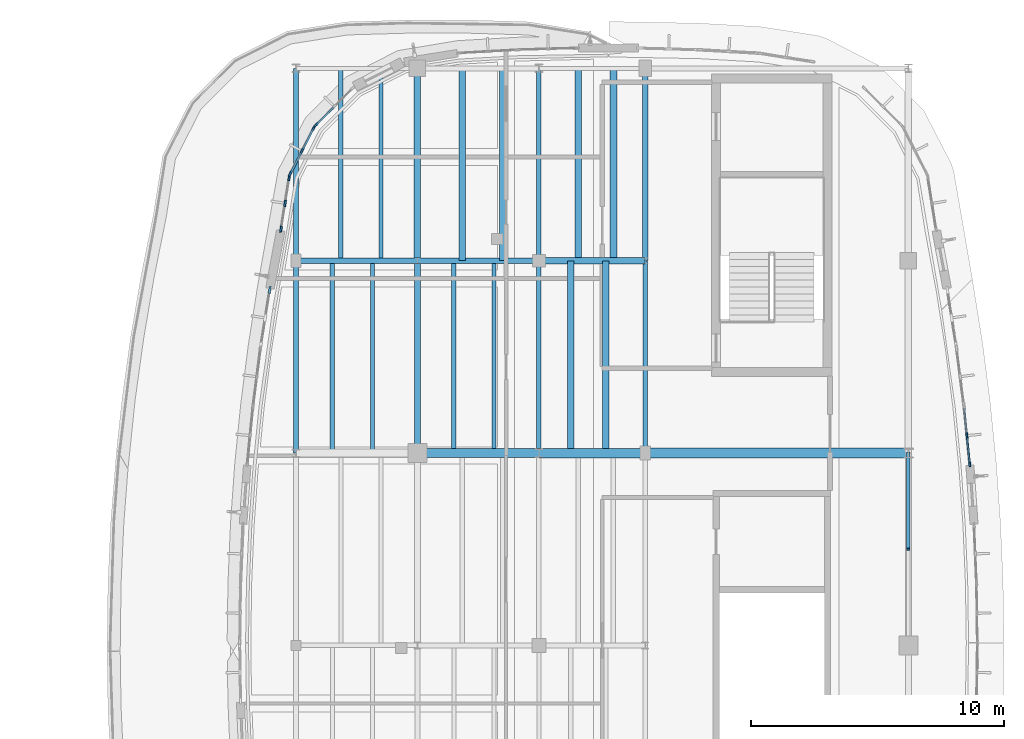
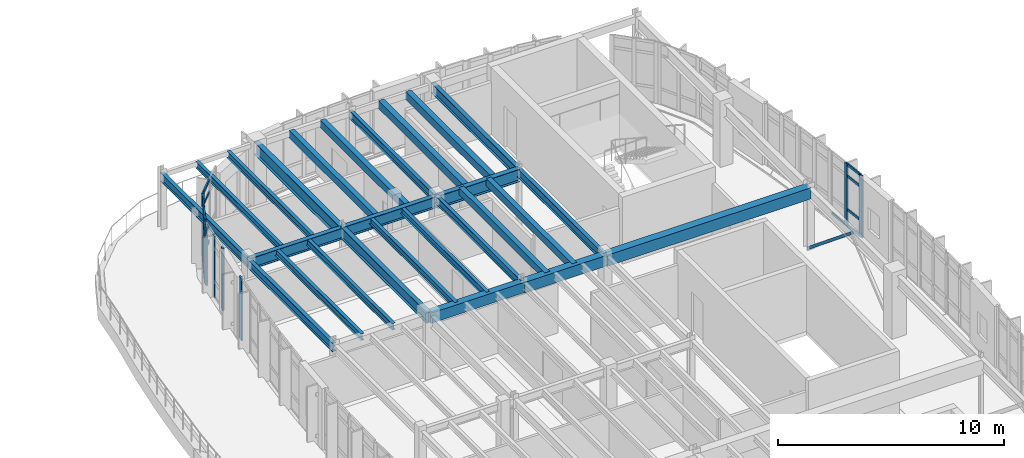
# One storey, part 12 of 30: 28 members, 26 beams, 5 elements without a shape of their own.
"""IFC4 building model written with IfcOpenShell, lengths in metres."""

from ifc_helpers import new_model, si_unit, direction, frame, origin, origin_2d, place, context, subcontext, project, spatial, rectangle, hollow_rectangle, i_section, extrude, material, material_profile, profile_set, type_object, element, aggregate, save


model = new_model("IFC4")

# Units and contexts
model_context = context("Model", 3, precision=1e-05, world=origin(), true_north=direction((0.0, 1.0)))
body_context = subcontext(model_context, "Body", "Model", "MODEL_VIEW")
ifc_project = project(units=[si_unit("LENGTHUNIT", "METRE"), si_unit("AREAUNIT", "SQUARE_METRE"), si_unit("VOLUMEUNIT", "CUBIC_METRE"), si_unit("PLANEANGLEUNIT", "RADIAN"), si_unit("MASSUNIT", "GRAM", prefix="KILO")], contexts=[model_context])

# Site, building, storey
site_placement = place(None, origin())
site = spatial("IfcSite", under=ifc_project, at=site_placement, CompositionType="ELEMENT")
building_placement = place(site_placement, origin())
building = spatial("IfcBuilding", under=site, at=building_placement, Name="Corveleigh Park Community Centre", CompositionType="ELEMENT")
storey_placement = place(building_placement, frame((0.0, 0.0, 12.60009765625)))
storey = spatial("IfcBuildingStorey", under=building, at=storey_placement, Name="L03", CompositionType="ELEMENT", Elevation=12.60009765625)

# Beams
ifc_material_1 = material(Name="Concrete C40/50", Category="concrete")
ifc_material_profile_1 = material_profile(ifc_material_1, rectangle(XDim=0.25, YDim=0.39990234375, at=origin_2d()), Name="RC-250x400", Category="concrete")
ifc_profile_set_1 = profile_set([ifc_material_profile_1], Name="Concrete C40/50")
beam_type_1 = type_object("IfcBeamType", Name="BM-RC-250x400", PredefinedType="JOIST", material=ifc_profile_set_1)
for number, where, z_axis, x_axis, name in (
    (1, (150.77587890625, 96.60498046875, 3.136962890625), (0.0, 1.0, 0.0), (-1.0, 0.0, 0.0), "Secondary floor joist"),
    (2, (152.360107421875, 96.60498046875, 3.136962890625), (0.0, 1.0, 0.0), (-1.0, 0.0, 0.0), "Secondary floor joist"),
    (3, (155.06005859375, 89.0048828125, 3.156982421875), (0.0, 1.0, 0.0), (-1.0, 0.0, 0.0), "Secondary floor joist"),
    (4, (156.446044921875, 89.0048828125, 3.156982421875), (0.0, 1.0, 0.0), (-1.0, 0.0, 0.0), "Secondary floor joist"),
):
    element("IfcBeam", number, at=place(storey_placement, frame(where, z_axis=z_axis, x_axis=x_axis)), inside=storey, type_object=beam_type_1, Name=name, PredefinedType="JOIST", context=body_context, shape_type="SweptSolid", body=[
        extrude(rectangle(XDim=0.25, YDim=0.39990234375, at=origin_2d()), origin(), (0.0, 0.0, 1.0), 7.590087890625),
    ])
ifc_material_profile_2 = material_profile(ifc_material_1, rectangle(XDim=0.27490234375, YDim=0.425048828125, at=origin_2d()), Name="RC-275x425", Category="concrete")
ifc_profile_set_2 = profile_set([ifc_material_profile_2], Name="Concrete C40/50")
beam_type_2 = type_object("IfcBeamType", Name="BM-RC-275x425", PredefinedType="JOIST", material=ifc_profile_set_2)
for number, where, z_axis, x_axis, name in (
    (5, (155.35400390625, 96.60498046875, 3.12451171875), (0.0, 1.0, 0.0), (-1.0, 0.0, 0.0), "Secondary floor joist"),
    (6, (156.739990234375, 96.60498046875, 3.12451171875), (0.0, 1.0, 0.0), (-1.0, 0.0, 0.0), "Secondary floor joist"),
):
    element("IfcBeam", number, at=place(storey_placement, frame(where, z_axis=z_axis, x_axis=x_axis)), inside=storey, type_object=beam_type_2, Name=name, PredefinedType="JOIST", context=body_context, shape_type="SweptSolid", body=[
        extrude(rectangle(XDim=0.27490234375, YDim=0.425048828125, at=origin_2d()), origin(), (0.0, 0.0, 1.0), 7.590087890625),
    ])
ifc_material_profile_3 = material_profile(ifc_material_1, rectangle(XDim=0.35009765625, YDim=0.550048828125, at=origin_2d()), Name="RC-350x550", Category="concrete")
ifc_profile_set_3 = profile_set([ifc_material_profile_3], Name="Concrete C40/50")
beam_type_3 = type_object("IfcBeamType", Name="BM-RC-350x550", PredefinedType="BEAM", material=ifc_profile_set_3)
beam_1_placement = place(storey_placement, frame((149.0048828125, 89.0, 3.081787109375), z_axis=(1.0, 0.0, 0.0), x_axis=(0.0, 1.0, 0.0)))
element("IfcBeam", 7, at=beam_1_placement, inside=storey, type_object=beam_type_3, Name="V4 Girder X", PredefinedType="BEAM", context=body_context, shape_type="SweptSolid", body=[
    extrude(rectangle(XDim=0.35009765625, YDim=0.550048828125, at=origin_2d()), origin(), (0.0, 0.0, 1.0), 4.7900390625),
])
ifc_material_profile_4 = material_profile(ifc_material_1, rectangle(XDim=0.375, YDim=0.574951171875, at=origin_2d()), Name="RC-375x575", Category="concrete")
ifc_profile_set_4 = profile_set([ifc_material_profile_4], Name="Concrete C40/50")
beam_type_4 = type_object("IfcBeamType", Name="BM-RC-375x575", PredefinedType="BEAM", material=ifc_profile_set_4)
beam_2_placement = place(storey_placement, frame((153.804931640625, 89.0, 3.0693359375), z_axis=(1.0, 0.0, 0.0), x_axis=(0.0, 1.0, 0.0)))
element("IfcBeam", 8, at=beam_2_placement, inside=storey, type_object=beam_type_4, Name="V4 Girder X", PredefinedType="BEAM", context=body_context, shape_type="SweptSolid", body=[
    extrude(rectangle(XDim=0.375, YDim=0.574951171875, at=origin_2d()), origin(), (0.0, 0.0, 1.0), 4.190185546875),
])
ifc_material_profile_5 = material_profile(ifc_material_1, rectangle(XDim=0.39990234375, YDim=0.60009765625, at=origin_2d()), Name="RC-400x600", Category="concrete")
ifc_profile_set_5 = profile_set([ifc_material_profile_5], Name="Concrete C40/50")
beam_type_5 = type_object("IfcBeamType", Name="BM-RC-400x600", PredefinedType="BEAM", material=ifc_profile_set_5)
beam_3_placement = place(storey_placement, frame((158.0048828125, 89.0, 3.056884765625), z_axis=(1.0, 0.0, 0.0), x_axis=(0.0, 1.0, 0.0)))
element("IfcBeam", 9, at=beam_3_placement, inside=storey, type_object=beam_type_5, Name="V4 Girder X", PredefinedType="BEAM", context=body_context, shape_type="SweptSolid", body=[
    extrude(rectangle(XDim=0.39990234375, YDim=0.60009765625, at=origin_2d()), origin(), (0.0, 0.0, 1.0), 10.39013671875),
])
ifc_material_2 = material(Name="Steel S355", Category="steel")
ifc_material_profile_6 = material_profile(ifc_material_2, i_section(OverallWidth=0.171142578125, OverallDepth=0.351318359375, WebThickness=0.007080078125, FlangeThickness=0.009765625, at=origin_2d()), Name="UKB 356x171x45", Category="steel")
ifc_profile_set_6 = profile_set([ifc_material_profile_6], Name="Steel S355")
beam_type_6 = type_object("IfcBeamType", Name="BM-STL-UKB356x45", PredefinedType="JOIST", material=ifc_profile_set_6)
for number, where, z_axis, x_axis, name in (
    (10, (145.639892578125, 89.0048828125, 3.1611328125), (0.0, 1.0, 0.0), (-1.0, 0.0, 0.0), "Secondary floor joist"),
    (11, (147.22412109375, 89.0048828125, 3.1611328125), (0.0, 1.0, 0.0), (-1.0, 0.0, 0.0), "Secondary floor joist"),
):
    element("IfcBeam", number, at=place(storey_placement, frame(where, z_axis=z_axis, x_axis=x_axis)), inside=storey, type_object=beam_type_6, Name=name, PredefinedType="JOIST", context=body_context, shape_type="SweptSolid", body=[
        extrude(i_section(OverallWidth=0.171142578125, OverallDepth=0.351318359375, WebThickness=0.007080078125, FlangeThickness=0.009765625, at=origin_2d()), origin(), (0.0, 0.0, 1.0), 7.590087890625),
    ])
ifc_material_profile_7 = material_profile(ifc_material_2, i_section(OverallWidth=0.17138671875, OverallDepth=0.35498046875, WebThickness=0.00732421875, FlangeThickness=0.011474609375, at=origin_2d()), Name="UKB 356x171x51", Category="steel")
ifc_profile_set_7 = profile_set([ifc_material_profile_7], Name="Steel S355")
beam_type_7 = type_object("IfcBeamType", Name="BM-STL-UKB356x51", PredefinedType="JOIST", material=ifc_profile_set_7)
for number, where, z_axis, x_axis, name in (
    (12, (145.97607421875, 96.60498046875, 3.159423828125), (0.0, 1.0, 0.0), (-1.0, 0.0, 0.0), "Secondary floor joist"),
    (13, (147.56005859375, 96.60498046875, 3.159423828125), (0.0, 1.0, 0.0), (-1.0, 0.0, 0.0), "Secondary floor joist"),
    (14, (150.43994140625, 89.0048828125, 3.179443359375), (0.0, 1.0, 0.0), (-1.0, 0.0, 0.0), "Secondary floor joist"),
    (15, (152.02392578125, 89.0048828125, 3.179443359375), (0.0, 1.0, 0.0), (-1.0, 0.0, 0.0), "Secondary floor joist"),
):
    element("IfcBeam", number, at=place(storey_placement, frame(where, z_axis=z_axis, x_axis=x_axis)), inside=storey, type_object=beam_type_7, Name=name, PredefinedType="JOIST", context=body_context, shape_type="SweptSolid", body=[
        extrude(i_section(OverallWidth=0.17138671875, OverallDepth=0.35498046875, WebThickness=0.00732421875, FlangeThickness=0.011474609375, at=origin_2d()), origin(), (0.0, 0.0, 1.0), 7.590087890625),
    ])
ifc_material_profile_8 = material_profile(ifc_material_2, i_section(OverallWidth=0.177978515625, OverallDepth=0.406494140625, WebThickness=0.0078125, FlangeThickness=0.0126953125, at=origin_2d()), Name="UKB 406x178x60", Category="steel")
ifc_profile_set_8 = profile_set([ifc_material_profile_8], Name="Steel S355")
beam_type_8 = type_object("IfcBeamType", Name="BM-STL-UKB406x60", PredefinedType="BEAM", material=ifc_profile_set_8)
beam_4_placement = place(storey_placement, frame((153.800048828125, 89.0048828125, 3.15380859375), z_axis=(0.0, 1.0, 0.0), x_axis=(-1.0, 0.0, 0.0)))
element("IfcBeam", 16, at=beam_4_placement, inside=storey, type_object=beam_type_8, Name="V4 Girder Y", PredefinedType="BEAM", context=body_context, shape_type="SweptSolid", body=[
    extrude(i_section(OverallWidth=0.177978515625, OverallDepth=0.406494140625, WebThickness=0.0078125, FlangeThickness=0.0126953125, at=origin_2d()), origin(), (0.0, 0.0, 1.0), 7.590087890625),
])
ifc_material_profile_9 = material_profile(ifc_material_2, i_section(OverallWidth=0.1787109375, OverallDepth=0.409423828125, WebThickness=0.0087890625, FlangeThickness=0.014404296875, at=origin_2d()), Name="UKB 406x178x67", Category="steel")
ifc_profile_set_9 = profile_set([ifc_material_profile_9], Name="Steel S355")
beam_type_9 = type_object("IfcBeamType", Name="BM-STL-UKB406x67", PredefinedType="BEAM", material=ifc_profile_set_9)
beam_5_placement = place(storey_placement, frame((153.800048828125, 96.60498046875, 3.13232421875), z_axis=(0.0, 1.0, 0.0), x_axis=(-1.0, 0.0, 0.0)))
element("IfcBeam", 17, at=beam_5_placement, inside=storey, type_object=beam_type_9, Name="V4 Girder Y", PredefinedType="BEAM", context=body_context, shape_type="SweptSolid", body=[
    extrude(i_section(OverallWidth=0.1787109375, OverallDepth=0.409423828125, WebThickness=0.0087890625, FlangeThickness=0.014404296875, at=origin_2d()), origin(), (0.0, 0.0, 1.0), 7.590087890625),
])
ifc_material_profile_10 = material_profile(ifc_material_2, i_section(OverallWidth=0.19140625, OverallDepth=0.4599609375, WebThickness=0.010009765625, FlangeThickness=0.01611328125, at=origin_2d()), Name="UKB 457x191x82", Category="steel")
ifc_profile_set_10 = profile_set([ifc_material_profile_10], Name="Steel S355")
beam_type_10 = type_object("IfcBeamType", Name="BM-STL-UKB457x82", PredefinedType="BEAM", material=ifc_profile_set_10)
beam_6_placement = place(storey_placement, frame((144.199951171875, 89.0048828125, 3.10693359375), z_axis=(0.0, 1.0, 0.0), x_axis=(-1.0, 0.0, 0.0)))
element("IfcBeam", 18, at=beam_6_placement, inside=storey, type_object=beam_type_10, Name="V4 Girder Y", PredefinedType="BEAM", context=body_context, shape_type="SweptSolid", body=[
    extrude(i_section(OverallWidth=0.19140625, OverallDepth=0.4599609375, WebThickness=0.010009765625, FlangeThickness=0.01611328125, at=origin_2d()), origin(), (0.0, 0.0, 1.0), 7.590087890625),
])
ifc_material_profile_11 = material_profile(ifc_material_2, i_section(OverallWidth=0.19189453125, OverallDepth=0.46337890625, WebThickness=0.010498046875, FlangeThickness=0.017578125, at=origin_2d()), Name="UKB 457x191x89", Category="steel")
ifc_profile_set_11 = profile_set([ifc_material_profile_11], Name="Steel S355")
beam_type_11 = type_object("IfcBeamType", Name="BM-STL-UKB457x89", PredefinedType="BEAM", material=ifc_profile_set_11)
for number, where, z_axis, x_axis, name in (
    (19, (144.199951171875, 96.60498046875, 3.105224609375), (0.0, 1.0, 0.0), (-1.0, 0.0, 0.0), "V4 Girder Y"),
    (20, (158.0, 89.0048828125, 3.125244140625), (0.0, 1.0, 0.0), (-1.0, 0.0, 0.0), "V4 Girder Y"),
):
    element("IfcBeam", number, at=place(storey_placement, frame(where, z_axis=z_axis, x_axis=x_axis)), inside=storey, type_object=beam_type_11, Name=name, PredefinedType="BEAM", context=body_context, shape_type="SweptSolid", body=[
        extrude(i_section(OverallWidth=0.19189453125, OverallDepth=0.46337890625, WebThickness=0.010498046875, FlangeThickness=0.017578125, at=origin_2d()), origin(), (0.0, 0.0, 1.0), 7.590087890625),
    ])
ifc_material_profile_12 = material_profile(ifc_material_2, i_section(OverallWidth=0.209228515625, OverallDepth=0.533203125, WebThickness=0.010009765625, FlangeThickness=0.015625, at=origin_2d()), Name="UKB 533x210x92", Category="steel")
ifc_profile_set_12 = profile_set([ifc_material_profile_12], Name="Steel S355")
beam_type_12 = type_object("IfcBeamType", Name="BM-STL-UKB533x92", PredefinedType="BEAM", material=ifc_profile_set_12)
beam_7_placement = place(storey_placement, frame((158.0, 96.60498046875, 3.09033203125), z_axis=(0.0, 1.0, 0.0), x_axis=(-1.0, 0.0, 0.0)))
element("IfcBeam", 21, at=beam_7_placement, inside=storey, type_object=beam_type_12, Name="V4 Girder Y", PredefinedType="BEAM", context=body_context, shape_type="SweptSolid", body=[
    extrude(i_section(OverallWidth=0.209228515625, OverallDepth=0.533203125, WebThickness=0.010009765625, FlangeThickness=0.015625, at=origin_2d()), origin(), (0.0, 0.0, 1.0), 7.590087890625),
])
ifc_material_profile_13 = material_profile(ifc_material_2, i_section(OverallWidth=0.228271484375, OverallDepth=0.607666015625, WebThickness=0.010986328125, FlangeThickness=0.017333984375, at=origin_2d()), Name="UKB 610x229x113", Category="steel")
ifc_profile_set_13 = profile_set([ifc_material_profile_13], Name="Steel S355")
beam_type_13 = type_object("IfcBeamType", Name="BM-STL-UKB610x113", PredefinedType="BEAM", material=ifc_profile_set_13)
beam_8_placement = place(storey_placement, frame((144.205078125, 96.60009765625, 3.033203125), z_axis=(1.0, 0.0, 0.0), x_axis=(0.0, 1.0, 0.0)))
element("IfcBeam", 22, at=beam_8_placement, inside=storey, type_object=beam_type_13, Name="V4 Girder X", PredefinedType="BEAM", context=body_context, shape_type="SweptSolid", body=[
    extrude(i_section(OverallWidth=0.228271484375, OverallDepth=0.607666015625, WebThickness=0.010986328125, FlangeThickness=0.017333984375, at=origin_2d()), origin(), (0.0, 0.0, 1.0), 4.7900390625),
])
ifc_material_profile_14 = material_profile(ifc_material_2, i_section(OverallWidth=0.22900390625, OverallDepth=0.6123046875, WebThickness=0.011962890625, FlangeThickness=0.01953125, at=origin_2d()), Name="UKB 610x229x125", Category="steel")
ifc_profile_set_14 = profile_set([ifc_material_profile_14], Name="Steel S355")
beam_type_14 = type_object("IfcBeamType", Name="BM-STL-UKB610x125", PredefinedType="BEAM", material=ifc_profile_set_14)
beam_9_placement = place(storey_placement, frame((149.0048828125, 96.60009765625, 3.05078125), z_axis=(1.0, 0.0, 0.0), x_axis=(0.0, 1.0, 0.0)))
element("IfcBeam", 23, at=beam_9_placement, inside=storey, type_object=beam_type_14, Name="V4 Girder X", PredefinedType="BEAM", context=body_context, shape_type="SweptSolid", body=[
    extrude(i_section(OverallWidth=0.22900390625, OverallDepth=0.6123046875, WebThickness=0.011962890625, FlangeThickness=0.01953125, at=origin_2d()), origin(), (0.0, 0.0, 1.0), 4.7900390625),
])
beam_10_placement = place(storey_placement, frame((149.0, 89.0048828125, 3.05078125), z_axis=(0.0, 1.0, 0.0), x_axis=(-1.0, 0.0, 0.0)))
element("IfcBeam", 24, at=beam_10_placement, inside=storey, type_object=beam_type_14, Name="V4 Girder Y", PredefinedType="BEAM", context=body_context, shape_type="SweptSolid", body=[
    extrude(i_section(OverallWidth=0.22900390625, OverallDepth=0.6123046875, WebThickness=0.011962890625, FlangeThickness=0.01953125, at=origin_2d()), origin(), (0.0, 0.0, 1.0), 7.590087890625),
])
ifc_material_profile_15 = material_profile(ifc_material_2, i_section(OverallWidth=0.253662109375, OverallDepth=0.68359375, WebThickness=0.012451171875, FlangeThickness=0.01904296875, at=origin_2d()), Name="UKB 686x254x140", Category="steel")
ifc_profile_set_15 = profile_set([ifc_material_profile_15], Name="Steel S355")
beam_type_15 = type_object("IfcBeamType", Name="BM-STL-UKB686x140", PredefinedType="BEAM", material=ifc_profile_set_15)
beam_11_placement = place(storey_placement, frame((153.804931640625, 96.60009765625, 3.01513671875), z_axis=(1.0, 0.0, 0.0), x_axis=(0.0, 1.0, 0.0)))
element("IfcBeam", 25, at=beam_11_placement, inside=storey, type_object=beam_type_15, Name="V4 Girder X", PredefinedType="BEAM", context=body_context, shape_type="SweptSolid", body=[
    extrude(i_section(OverallWidth=0.253662109375, OverallDepth=0.68359375, WebThickness=0.012451171875, FlangeThickness=0.01904296875, at=origin_2d()), origin(), (0.0, 0.0, 1.0), 4.190185546875),
])
beam_12_placement = place(storey_placement, frame((149.0, 96.60498046875, 2.9951171875), z_axis=(0.0, 1.0, 0.0), x_axis=(-1.0, 0.0, 0.0)))
element("IfcBeam", 26, at=beam_12_placement, inside=storey, type_object=beam_type_15, Name="V4 Girder Y", PredefinedType="BEAM", context=body_context, shape_type="SweptSolid", body=[
    extrude(i_section(OverallWidth=0.253662109375, OverallDepth=0.68359375, WebThickness=0.012451171875, FlangeThickness=0.01904296875, at=origin_2d()), origin(), (0.0, 0.0, 1.0), 7.590087890625),
])

# Curtain wall, member
ifc_material_3 = material(Name="Anodised aluminium 6063-T6", Category="aluminium")
curtain_wall_type = type_object("IfcCurtainWallType", Name="CW-SYS-V4-L03", PredefinedType="NOTDEFINED", material=ifc_material_3)
curtain_wall_1_placement = place(storey_placement, origin())
curtain_wall_1 = element("IfcCurtainWall", 27, at=curtain_wall_1_placement, inside=storey, type_object=curtain_wall_type, Name="V4 L03 Curtain Wall 423", PredefinedType="NOTDEFINED")
ifc_material_profile_16 = material_profile(ifc_material_3, rectangle(XDim=0.070068359375, YDim=0.199951171875, at=origin_2d()), Name="ALU-M70x200", Category="aluminium")
ifc_profile_set_16 = profile_set([ifc_material_profile_16], Name="Anodised aluminium 6063-T6")
member_type_1 = type_object("IfcMemberType", Name="CWM-70x200", PredefinedType="MULLION", material=ifc_profile_set_16)
member_1_placement = place(storey_placement, frame((144.98876953125, 101.9658203125, 0.0), z_axis=(0.0, 0.0, 1.0), x_axis=(-0.707106781187, 0.707106781187, 0.0)))
member_1 = element("IfcMember", 28, at=member_1_placement, type_object=member_type_1, Name="CW09 mullion 1", PredefinedType="MULLION", context=body_context, shape_type="SweptSolid", body=[
    extrude(rectangle(XDim=0.070068359375, YDim=0.199951171875, at=origin_2d()), origin(), (0.0, 0.0, 1.0), 3.3369140625),
])

# Curtain wall, members
curtain_wall_2_placement = place(storey_placement, origin())
curtain_wall_2 = element("IfcCurtainWall", 29, at=curtain_wall_2_placement, inside=storey, type_object=curtain_wall_type, Name="V4 L03 Curtain Wall 412", PredefinedType="NOTDEFINED")
ifc_material_profile_17 = material_profile(ifc_material_3, rectangle(XDim=0.074951171875, YDim=0.219970703125, at=origin_2d()), Name="ALU-M75x220", Category="aluminium")
ifc_profile_set_17 = profile_set([ifc_material_profile_17], Name="Anodised aluminium 6063-T6")
member_type_2 = type_object("IfcMemberType", Name="CWM-75x220", PredefinedType="MULLION", material=ifc_profile_set_17)
member_2_placement = place(storey_placement, frame((170.70947265625, 89.689453125, 0.0), z_axis=(0.0, 0.0, 1.0), x_axis=(0.995058446213, 0.09929092919, 0.0)))
member_2 = element("IfcMember", 30, at=member_2_placement, type_object=member_type_2, Name="CW09 mullion 2", PredefinedType="MULLION", context=body_context, shape_type="SweptSolid", body=[
    extrude(rectangle(XDim=0.074951171875, YDim=0.219970703125, at=origin_2d()), origin(), (0.0, 0.0, 1.0), 3.35693359375),
])
member_3_placement = place(storey_placement, frame((170.8212890625, 88.5693359375, 0.0), z_axis=(0.0, 0.0, 1.0), x_axis=(0.995058446213, 0.09929092919, 0.0)))
member_3 = element("IfcMember", 31, at=member_3_placement, type_object=member_type_2, Name="CW09 mullion 3", PredefinedType="MULLION", context=body_context, shape_type="SweptSolid", body=[
    extrude(rectangle(XDim=0.074951171875, YDim=0.219970703125, at=origin_2d()), origin(), (0.0, 0.0, 1.0), 3.35693359375),
])

curtain_wall_3_placement = place(storey_placement, origin())
curtain_wall_3 = element("IfcCurtainWall", 32, at=curtain_wall_3_placement, inside=storey, type_object=curtain_wall_type, Name="V4 L03 Curtain Wall 424", PredefinedType="NOTDEFINED")
member_4_placement = place(storey_placement, frame((143.97705078125, 100.030517578125, 0.0), z_axis=(0.0, 0.0, 1.0), x_axis=(-0.890898639119, 0.454202173945, 0.0)))
member_4 = element("IfcMember", 33, at=member_4_placement, type_object=member_type_2, Name="CW09 mullion 1", PredefinedType="MULLION", context=body_context, shape_type="SweptSolid", body=[
    extrude(rectangle(XDim=0.074951171875, YDim=0.219970703125, at=origin_2d()), origin(), (0.0, 0.0, 1.0), 3.3369140625),
])
member_5_placement = place(storey_placement, frame((144.43994140625, 100.9384765625, 0.0), z_axis=(0.0, 0.0, 1.0), x_axis=(-0.890898639119, 0.454202173945, 0.0)))
member_5 = element("IfcMember", 34, at=member_5_placement, type_object=member_type_2, Name="CW09 mullion 2", PredefinedType="MULLION", context=body_context, shape_type="SweptSolid", body=[
    extrude(rectangle(XDim=0.074951171875, YDim=0.219970703125, at=origin_2d()), origin(), (0.0, 0.0, 1.0), 3.3369140625),
])
member_6_placement = place(storey_placement, frame((144.903076171875, 101.8466796875, 0.0), z_axis=(0.0, 0.0, 1.0), x_axis=(-0.890898639119, 0.454202173945, 0.0)))
member_6 = element("IfcMember", 35, at=member_6_placement, type_object=member_type_2, Name="CW09 mullion 3", PredefinedType="MULLION", context=body_context, shape_type="SweptSolid", body=[
    extrude(rectangle(XDim=0.074951171875, YDim=0.219970703125, at=origin_2d()), origin(), (0.0, 0.0, 1.0), 3.3369140625),
])

curtain_wall_4_placement = place(storey_placement, origin())
curtain_wall_4 = element("IfcCurtainWall", 36, at=curtain_wall_4_placement, inside=storey, type_object=curtain_wall_type, Name="V4 L03 Curtain Wall 425", PredefinedType="NOTDEFINED")
ifc_material_profile_18 = material_profile(ifc_material_3, rectangle(XDim=0.080078125, YDim=0.25, at=origin_2d()), Name="ALU-M80x250", Category="aluminium")
ifc_profile_set_18 = profile_set([ifc_material_profile_18], Name="Anodised aluminium 6063-T6")
member_type_3 = type_object("IfcMemberType", Name="CWM-80x250", PredefinedType="MULLION", material=ifc_profile_set_18)
member_7_placement = place(storey_placement, frame((143.607177734375, 97.848388671875, 0.0), z_axis=(0.0, 0.0, 1.0), x_axis=(-0.987626350225, 0.15682535618, 0.0)))
member_7 = element("IfcMember", 37, at=member_7_placement, type_object=member_type_3, Name="CW09 mullion 1", PredefinedType="MULLION", context=body_context, shape_type="SweptSolid", body=[
    extrude(rectangle(XDim=0.080078125, YDim=0.25, at=origin_2d()), origin(), (0.0, 0.0, 1.0), 3.3369140625),
])
member_8_placement = place(storey_placement, frame((143.76904296875, 98.866943359375, 0.0), z_axis=(0.0, 0.0, 1.0), x_axis=(-0.987626350225, 0.15682535618, 0.0)))
member_8 = element("IfcMember", 38, at=member_8_placement, type_object=member_type_3, Name="CW09 mullion 2", PredefinedType="MULLION", context=body_context, shape_type="SweptSolid", body=[
    extrude(rectangle(XDim=0.080078125, YDim=0.25, at=origin_2d()), origin(), (0.0, 0.0, 1.0), 3.3369140625),
])
member_9_placement = place(storey_placement, frame((143.9306640625, 99.885498046875, 0.0), z_axis=(0.0, 0.0, 1.0), x_axis=(-0.987626350225, 0.15682535618, 0.0)))
member_9 = element("IfcMember", 39, at=member_9_placement, type_object=member_type_3, Name="CW09 mullion 3", PredefinedType="MULLION", context=body_context, shape_type="SweptSolid", body=[
    extrude(rectangle(XDim=0.080078125, YDim=0.25, at=origin_2d()), origin(), (0.0, 0.0, 1.0), 3.3369140625),
])
aggregate(curtain_wall_4, [member_7, member_8, member_9])

# Curtain wall, member
curtain_wall_5_placement = place(storey_placement, origin())
curtain_wall_5 = element("IfcCurtainWall", 40, at=curtain_wall_5_placement, inside=storey, type_object=curtain_wall_type, Name="V4 L03 Curtain Wall 426", PredefinedType="NOTDEFINED")
ifc_material_profile_19 = material_profile(ifc_material_3, rectangle(XDim=0.0849609375, YDim=0.27490234375, at=origin_2d()), Name="ALU-M85x275", Category="aluminium")
ifc_profile_set_19 = profile_set([ifc_material_profile_19], Name="Anodised aluminium 6063-T6")
member_type_4 = type_object("IfcMemberType", Name="CWM-85x275", PredefinedType="MULLION", material=ifc_profile_set_19)
member_10_placement = place(storey_placement, frame((143.162353515625, 95.445068359375, 0.0), z_axis=(0.0, 0.0, 1.0), x_axis=(-0.987742036845, 0.156095062857, 0.0)))
member_10 = element("IfcMember", 41, at=member_10_placement, type_object=member_type_4, Name="CW09 mullion 3", PredefinedType="MULLION", context=body_context, shape_type="SweptSolid", body=[
    extrude(rectangle(XDim=0.0849609375, YDim=0.27490234375, at=origin_2d()), origin(), (0.0, 0.0, 1.0), 3.3369140625),
])
aggregate(curtain_wall_5, [member_10])

# Member
ifc_material_profile_20 = material_profile(ifc_material_3, rectangle(XDim=0.06494140625, YDim=0.139892578125, at=origin_2d()), Name="ALU-T65x140", Category="aluminium")
ifc_profile_set_20 = profile_set([ifc_material_profile_20], Name="Anodised aluminium 6063-T6")
member_type_5 = type_object("IfcMemberType", Name="CWT-65x140", PredefinedType="USERDEFINED", material=ifc_profile_set_20)
member_11_placement = place(storey_placement, frame((170.6015625, 90.7724609375, 0.032470703125), z_axis=(0.099204676617, -0.995067049066, 0.0), x_axis=(0.995067049066, 0.099204676617, 0.0)))
member_11 = element("IfcMember", 42, at=member_11_placement, type_object=member_type_5, Name="CW09 transom 1.1", ObjectType="TRANSOM", PredefinedType="USERDEFINED", context=body_context, shape_type="SweptSolid", body=[
    extrude(rectangle(XDim=0.06494140625, YDim=0.139892578125, at=origin_2d()), origin(), (0.0, 0.0, 1.0), 1.05078125),
])

member_12_placement = place(storey_placement, frame((170.713134765625, 89.652099609375, 0.032470703125), z_axis=(0.099457703506, -0.995041790687, 0.0), x_axis=(0.995041790687, 0.099457703506, 0.0)))
member_12 = element("IfcMember", 43, at=member_12_placement, type_object=member_type_5, Name="CW09 transom 2.1", ObjectType="TRANSOM", PredefinedType="USERDEFINED", context=body_context, shape_type="SweptSolid", body=[
    extrude(rectangle(XDim=0.06494140625, YDim=0.139892578125, at=origin_2d()), origin(), (0.0, 0.0, 1.0), 1.050537109375),
])

member_13_placement = place(storey_placement, frame((170.713134765625, 89.652099609375, 0.89990234375), z_axis=(0.099457703506, -0.995041790687, 0.0), x_axis=(0.995041790687, 0.099457703506, 0.0)))
member_13 = element("IfcMember", 44, at=member_13_placement, type_object=member_type_5, Name="CW09 transom 2.2", ObjectType="TRANSOM", PredefinedType="USERDEFINED", context=body_context, shape_type="SweptSolid", body=[
    extrude(rectangle(XDim=0.06494140625, YDim=0.139892578125, at=origin_2d()), origin(), (0.0, 0.0, 1.0), 1.050537109375),
])

member_14_placement = place(storey_placement, frame((170.713134765625, 89.652099609375, 2.706787109375), z_axis=(0.099457703506, -0.995041790687, 0.0), x_axis=(0.995041790687, 0.099457703506, 0.0)))
member_14 = element("IfcMember", 45, at=member_14_placement, type_object=member_type_5, Name="CW09 transom 2.3", ObjectType="TRANSOM", PredefinedType="USERDEFINED", context=body_context, shape_type="SweptSolid", body=[
    extrude(rectangle(XDim=0.06494140625, YDim=0.139892578125, at=origin_2d()), origin(), (0.0, 0.0, 1.0), 1.050537109375),
])

member_15_placement = place(storey_placement, frame((170.713134765625, 89.652099609375, 3.324462890625), z_axis=(0.099457703506, -0.995041790687, 0.0), x_axis=(0.995041790687, 0.099457703506, 0.0)))
member_15 = element("IfcMember", 46, at=member_15_placement, type_object=member_type_5, Name="CW09 transom 2.4", ObjectType="TRANSOM", PredefinedType="USERDEFINED", context=body_context, shape_type="SweptSolid", body=[
    extrude(rectangle(XDim=0.06494140625, YDim=0.139892578125, at=origin_2d()), origin(), (0.0, 0.0, 1.0), 1.050537109375),
])

aggregate(curtain_wall_2, [member_2, member_3, member_11, member_12, member_13, member_14, member_15])

ifc_material_profile_21 = material_profile(ifc_material_3, rectangle(XDim=0.070068359375, YDim=0.155029296875, at=origin_2d()), Name="ALU-T70x155", Category="aluminium")
ifc_profile_set_21 = profile_set([ifc_material_profile_21], Name="Anodised aluminium 6063-T6")
member_type_6 = type_object("IfcMemberType", Name="CWT-70x155", PredefinedType="USERDEFINED", material=ifc_profile_set_21)
member_16_placement = place(storey_placement, frame((145.013427734375, 101.990478515625, 0.034912109375), z_axis=(0.707106781187, 0.707106781187, 0.0), x_axis=(-0.707106781187, 0.707106781187, 0.0)))
member_16 = element("IfcMember", 47, at=member_16_placement, type_object=member_type_6, Name="CW09 transom 1.1", ObjectType="TRANSOM", PredefinedType="USERDEFINED", context=body_context, shape_type="SweptSolid", body=[
    extrude(rectangle(XDim=0.070068359375, YDim=0.155029296875, at=origin_2d()), origin(), (0.0, 0.0, 1.0), 0.9521484375),
])

member_17_placement = place(storey_placement, frame((145.013427734375, 101.990478515625, 0.89990234375), z_axis=(0.707106781187, 0.707106781187, 0.0), x_axis=(-0.707106781187, 0.707106781187, 0.0)))
member_17 = element("IfcMember", 48, at=member_17_placement, type_object=member_type_6, Name="CW09 transom 1.2", ObjectType="TRANSOM", PredefinedType="USERDEFINED", context=body_context, shape_type="SweptSolid", body=[
    extrude(rectangle(XDim=0.070068359375, YDim=0.155029296875, at=origin_2d()), origin(), (0.0, 0.0, 1.0), 0.9521484375),
])

member_18_placement = place(storey_placement, frame((145.013427734375, 101.990478515625, 2.68701171875), z_axis=(0.707106781187, 0.707106781187, 0.0), x_axis=(-0.707106781187, 0.707106781187, 0.0)))
member_18 = element("IfcMember", 49, at=member_18_placement, type_object=member_type_6, Name="CW09 transom 1.3", ObjectType="TRANSOM", PredefinedType="USERDEFINED", context=body_context, shape_type="SweptSolid", body=[
    extrude(rectangle(XDim=0.070068359375, YDim=0.155029296875, at=origin_2d()), origin(), (0.0, 0.0, 1.0), 0.9521484375),
])

member_19_placement = place(storey_placement, frame((145.013427734375, 101.990478515625, 3.302001953125), z_axis=(0.707106781187, 0.707106781187, 0.0), x_axis=(-0.707106781187, 0.707106781187, 0.0)))
member_19 = element("IfcMember", 50, at=member_19_placement, type_object=member_type_6, Name="CW09 transom 1.4", ObjectType="TRANSOM", PredefinedType="USERDEFINED", context=body_context, shape_type="SweptSolid", body=[
    extrude(rectangle(XDim=0.070068359375, YDim=0.155029296875, at=origin_2d()), origin(), (0.0, 0.0, 1.0), 0.9521484375),
])

aggregate(curtain_wall_1, [member_1, member_16, member_17, member_18, member_19])

ifc_material_profile_22 = material_profile(ifc_material_3, rectangle(XDim=0.074951171875, YDim=0.175048828125, at=origin_2d()), Name="ALU-T75x175", Category="aluminium")
ifc_profile_set_22 = profile_set([ifc_material_profile_22], Name="Anodised aluminium 6063-T6")
member_type_7 = type_object("IfcMemberType", Name="CWT-75x175", PredefinedType="USERDEFINED", material=ifc_profile_set_22)
member_20_placement = place(storey_placement, frame((143.994140625, 100.063720703125, 0.037353515625), z_axis=(0.454026482831, 0.890988188972, 0.0), x_axis=(-0.890988188972, 0.454026482831, 0.0)))
member_20 = element("IfcMember", 51, at=member_20_placement, type_object=member_type_7, Name="CW09 transom 1.1", ObjectType="TRANSOM", PredefinedType="USERDEFINED", context=body_context, shape_type="SweptSolid", body=[
    extrude(rectangle(XDim=0.074951171875, YDim=0.175048828125, at=origin_2d()), origin(), (0.0, 0.0, 1.0), 0.9443359375),
])

member_21_placement = place(storey_placement, frame((143.994140625, 100.063720703125, 0.89990234375), z_axis=(0.454026482831, 0.890988188972, 0.0), x_axis=(-0.890988188972, 0.454026482831, 0.0)))
member_21 = element("IfcMember", 52, at=member_21_placement, type_object=member_type_7, Name="CW09 transom 1.2", ObjectType="TRANSOM", PredefinedType="USERDEFINED", context=body_context, shape_type="SweptSolid", body=[
    extrude(rectangle(XDim=0.074951171875, YDim=0.175048828125, at=origin_2d()), origin(), (0.0, 0.0, 1.0), 0.9443359375),
])

member_22_placement = place(storey_placement, frame((143.994140625, 100.063720703125, 2.68701171875), z_axis=(0.454026482831, 0.890988188972, 0.0), x_axis=(-0.890988188972, 0.454026482831, 0.0)))
member_22 = element("IfcMember", 53, at=member_22_placement, type_object=member_type_7, Name="CW09 transom 1.3", ObjectType="TRANSOM", PredefinedType="USERDEFINED", context=body_context, shape_type="SweptSolid", body=[
    extrude(rectangle(XDim=0.074951171875, YDim=0.175048828125, at=origin_2d()), origin(), (0.0, 0.0, 1.0), 0.9443359375),
])

member_23_placement = place(storey_placement, frame((143.994140625, 100.063720703125, 3.29931640625), z_axis=(0.454026482831, 0.890988188972, 0.0), x_axis=(-0.890988188972, 0.454026482831, 0.0)))
member_23 = element("IfcMember", 54, at=member_23_placement, type_object=member_type_7, Name="CW09 transom 1.4", ObjectType="TRANSOM", PredefinedType="USERDEFINED", context=body_context, shape_type="SweptSolid", body=[
    extrude(rectangle(XDim=0.074951171875, YDim=0.175048828125, at=origin_2d()), origin(), (0.0, 0.0, 1.0), 0.9443359375),
])

member_24_placement = place(storey_placement, frame((144.45703125, 100.971923828125, 0.037353515625), z_axis=(0.454231704912, 0.890883582884, 0.0), x_axis=(-0.890883582884, 0.454231704912, 0.0)))
member_24 = element("IfcMember", 55, at=member_24_placement, type_object=member_type_7, Name="CW09 transom 2.1", ObjectType="TRANSOM", PredefinedType="USERDEFINED", context=body_context, shape_type="SweptSolid", body=[
    extrude(rectangle(XDim=0.074951171875, YDim=0.175048828125, at=origin_2d()), origin(), (0.0, 0.0, 1.0), 0.9443359375),
])

member_25_placement = place(storey_placement, frame((144.45703125, 100.971923828125, 0.89990234375), z_axis=(0.454231704912, 0.890883582884, 0.0), x_axis=(-0.890883582884, 0.454231704912, 0.0)))
member_25 = element("IfcMember", 56, at=member_25_placement, type_object=member_type_7, Name="CW09 transom 2.2", ObjectType="TRANSOM", PredefinedType="USERDEFINED", context=body_context, shape_type="SweptSolid", body=[
    extrude(rectangle(XDim=0.074951171875, YDim=0.175048828125, at=origin_2d()), origin(), (0.0, 0.0, 1.0), 0.9443359375),
])

member_26_placement = place(storey_placement, frame((144.45703125, 100.971923828125, 2.68701171875), z_axis=(0.454231704912, 0.890883582884, 0.0), x_axis=(-0.890883582884, 0.454231704912, 0.0)))
member_26 = element("IfcMember", 57, at=member_26_placement, type_object=member_type_7, Name="CW09 transom 2.3", ObjectType="TRANSOM", PredefinedType="USERDEFINED", context=body_context, shape_type="SweptSolid", body=[
    extrude(rectangle(XDim=0.074951171875, YDim=0.175048828125, at=origin_2d()), origin(), (0.0, 0.0, 1.0), 0.9443359375),
])

member_27_placement = place(storey_placement, frame((144.45703125, 100.971923828125, 3.29931640625), z_axis=(0.454231704912, 0.890883582884, 0.0), x_axis=(-0.890883582884, 0.454231704912, 0.0)))
member_27 = element("IfcMember", 58, at=member_27_placement, type_object=member_type_7, Name="CW09 transom 2.4", ObjectType="TRANSOM", PredefinedType="USERDEFINED", context=body_context, shape_type="SweptSolid", body=[
    extrude(rectangle(XDim=0.074951171875, YDim=0.175048828125, at=origin_2d()), origin(), (0.0, 0.0, 1.0), 0.9443359375),
])

aggregate(curtain_wall_3, [member_4, member_5, member_6, member_20, member_21, member_22, member_23, member_24, member_25, member_26, member_27])

ifc_material_profile_23 = material_profile(ifc_material_2, hollow_rectangle(XDim=0.139892578125, YDim=0.139892578125, WallThickness=0.008056640625, at=origin_2d()), Name="SHS 140x140x8.0", Category="steel")
ifc_profile_set_23 = profile_set([ifc_material_profile_23], Name="Steel S355")
member_type_8 = type_object("IfcMemberType", Name="MEM-BRC-SHS140", PredefinedType="BRACE", material=ifc_profile_set_23)
member_28_placement = place(storey_placement, frame((168.39990234375, 89.0, 0.0), z_axis=(0.0, -0.774176642978, 0.632969608644), x_axis=(1.0, 0.0, 0.0)))
element("IfcMember", 59, at=member_28_placement, inside=storey, type_object=member_type_8, Name="Spine chevron brace", PredefinedType="BRACE", context=body_context, shape_type="SweptSolid", body=[
    extrude(hollow_rectangle(XDim=0.139892578125, YDim=0.139892578125, WallThickness=0.008056640625, at=origin_2d()), origin(), (0.0, 0.0, 1.0), 4.908447265625),
])

save(model, "model.ifc")
